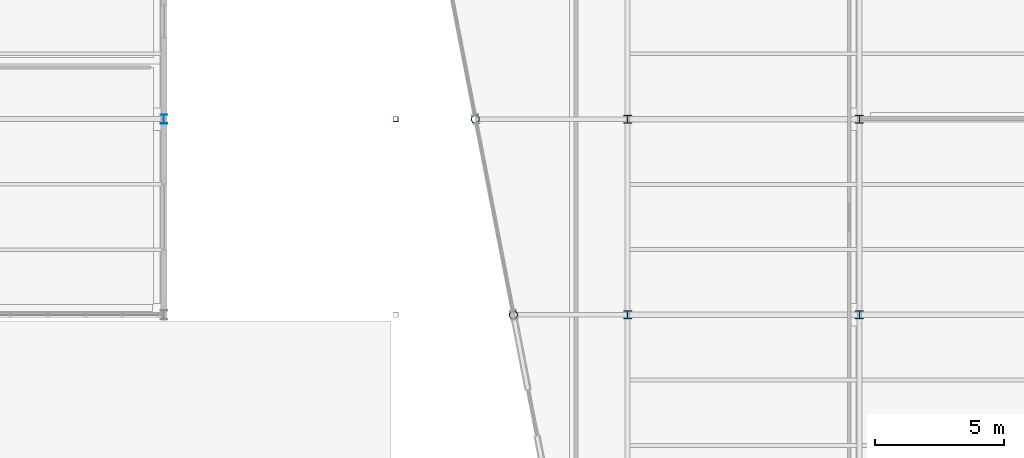
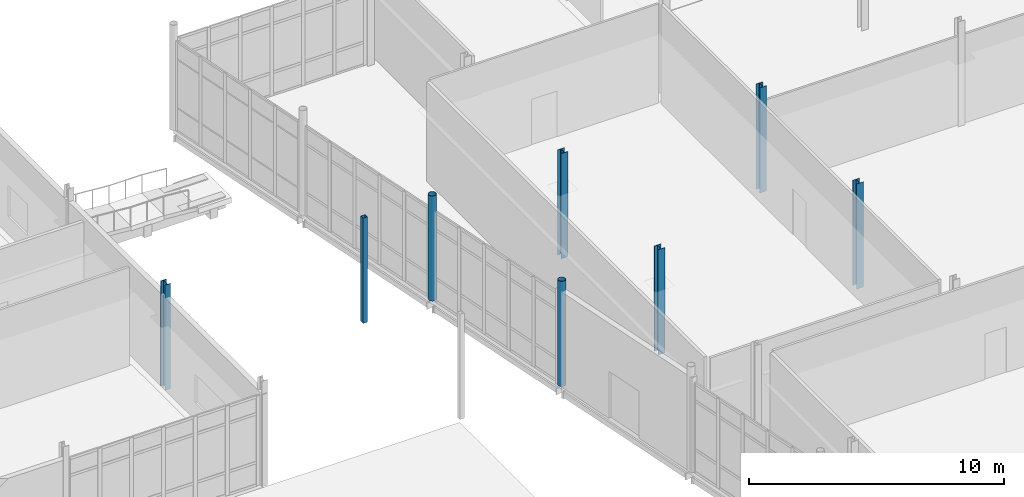
# One storey, part 22 of 161: 8 columns.
"""IFC4 building model written with IfcOpenShell, lengths in metres."""

from ifc_helpers import new_model, si_unit, direction, frame, origin, origin_2d, place, context, subcontext, project, spatial, hollow_rectangle, hollow_circle, i_section, extrude, material, material_profile, profile_set, type_object, element, save


model = new_model("IFC4")

# Units and contexts
model_context = context("Model", 3, precision=1e-05, world=origin(), true_north=direction((0.0, 1.0)))
body_context = subcontext(model_context, "Body", "Model", "MODEL_VIEW")
ifc_project = project(units=[si_unit("LENGTHUNIT", "METRE"), si_unit("AREAUNIT", "SQUARE_METRE"), si_unit("VOLUMEUNIT", "CUBIC_METRE"), si_unit("PLANEANGLEUNIT", "RADIAN"), si_unit("MASSUNIT", "GRAM", prefix="KILO")], contexts=[model_context])

# Site, building, storey
site_placement = place(None, origin())
site = spatial("IfcSite", under=ifc_project, at=site_placement, CompositionType="ELEMENT")
building_placement = place(site_placement, origin())
building = spatial("IfcBuilding", under=site, at=building_placement, Name="Caisbarro Railhouse Central Library", CompositionType="ELEMENT")
storey_placement = place(building_placement, origin())
storey = spatial("IfcBuildingStorey", under=building, at=storey_placement, Name="L00", CompositionType="ELEMENT", Elevation=0.0)

# Columns
ifc_material = material(Name="Steel ASTM A572 Grade 50", Category="steel")
ifc_material_profile_1 = material_profile(ifc_material, i_section(OverallWidth=0.31201171875, OverallDepth=0.31201171875, WebThickness=0.017333984375, FlangeThickness=0.017333984375, FilletRadius=0.014892578125, at=origin_2d()), Name="HP310X125.0")
ifc_profile_set_1 = profile_set([ifc_material_profile_1], Name="Steel ASTM A572 Grade 50")
column_type_1 = type_object("IfcColumnType", Name="COL-C03", PredefinedType="COLUMN", material=ifc_profile_set_1)
for number, where, z_axis, x_axis, name in (
    (1, (117.0, 83.60009765625, 0.0), (0.0, 0.0, 1.0), (1.0, 0.0, 0.0), "C03 column L00 (117.0,83.6)"),
    (2, (117.0, 91.199951171875, 0.0), (0.0, 0.0, 1.0), (1.0, 0.0, 0.0), "C03 column L00 (117.0,91.2)"),
    (3, (126.0, 83.60009765625, 0.0), (0.0, 0.0, 1.0), (1.0, 0.0, 0.0), "C03 column L00 (126.0,83.6)"),
    (4, (126.0, 91.199951171875, 0.0), (0.0, 0.0, 1.0), (1.0, 0.0, 0.0), "C03 column L00 (126.0,91.2)"),
):
    element("IfcColumn", number, at=place(storey_placement, frame(where, z_axis=z_axis, x_axis=x_axis)), inside=storey, type_object=column_type_1, Name=name, PredefinedType="COLUMN", context=body_context, shape_type="SweptSolid", body=[
        extrude(i_section(OverallWidth=0.31201171875, OverallDepth=0.31201171875, WebThickness=0.017333984375, FlangeThickness=0.017333984375, FilletRadius=0.014892578125, at=origin_2d()), origin(), (0.0, 0.0, 1.0), 5.0400390625),
    ])
ifc_material_profile_2 = material_profile(ifc_material, i_section(OverallWidth=0.25390625, OverallDepth=0.35302734375, WebThickness=0.009521484375, FlangeThickness=0.016357421875, FilletRadius=0.014892578125, at=origin_2d()), Name="W360X91.0")
ifc_profile_set_2 = profile_set([ifc_material_profile_2], Name="Steel ASTM A572 Grade 50")
column_type_2 = type_object("IfcColumnType", Name="COL-C05", PredefinedType="COLUMN", material=ifc_profile_set_2)
column_1_placement = place(storey_placement, frame((99.0, 91.199951171875, 0.0), z_axis=(0.0, 0.0, 1.0), x_axis=(1.0, 0.0, 0.0)))
element("IfcColumn", 5, at=column_1_placement, inside=storey, type_object=column_type_2, Name="C05 column L00 (99.0,91.2)", PredefinedType="COLUMN", context=body_context, shape_type="SweptSolid", body=[
    extrude(i_section(OverallWidth=0.25390625, OverallDepth=0.35302734375, WebThickness=0.009521484375, FlangeThickness=0.016357421875, FilletRadius=0.014892578125, at=origin_2d()), origin(), (0.0, 0.0, 1.0), 5.0400390625),
])
ifc_material_profile_3 = material_profile(ifc_material, hollow_rectangle(XDim=0.199951171875, YDim=0.199951171875, WallThickness=0.012451171875, at=origin_2d()), Name="HSS200X200X12.5")
ifc_profile_set_3 = profile_set([ifc_material_profile_3], Name="Steel ASTM A572 Grade 50")
column_type_3 = type_object("IfcColumnType", Name="COL-C10", PredefinedType="COLUMN", material=ifc_profile_set_3)
column_2_placement = place(storey_placement, frame((108.0, 91.199951171875, 0.0), z_axis=(0.0, 0.0, 1.0), x_axis=(1.0, 0.0, 0.0)))
element("IfcColumn", 6, at=column_2_placement, inside=storey, type_object=column_type_3, Name="C10 column L00 (108.0,91.2)", PredefinedType="COLUMN", context=body_context, shape_type="SweptSolid", body=[
    extrude(hollow_rectangle(XDim=0.199951171875, YDim=0.199951171875, WallThickness=0.012451171875, at=origin_2d()), origin(), (0.0, 0.0, 1.0), 5.0400390625),
])
ifc_material_profile_4 = material_profile(ifc_material, hollow_circle(Radius=0.161865234375, WallThickness=0.01611328125, at=origin_2d()), Name="CHS323.9X16.0")
ifc_profile_set_4 = profile_set([ifc_material_profile_4], Name="Steel ASTM A572 Grade 50")
column_type_4 = type_object("IfcColumnType", Name="COL-C11", PredefinedType="COLUMN", material=ifc_profile_set_4)
for number, where, z_axis, x_axis, name in (
    (7, (111.091064453125, 91.199951171875, 0.0), (0.0, 0.0, 1.0), (0.981627183448, 0.190808995377, 0.0), "C11 column L00 (111.1,91.2)"),
    (8, (112.568115234375, 83.60009765625, 0.0), (0.0, 0.0, 1.0), (0.981627183448, 0.190808995377, 0.0), "C11 column L00 (112.6,83.6)"),
):
    element("IfcColumn", number, at=place(storey_placement, frame(where, z_axis=z_axis, x_axis=x_axis)), inside=storey, type_object=column_type_4, Name=name, PredefinedType="COLUMN", context=body_context, shape_type="SweptSolid", body=[
        extrude(hollow_circle(Radius=0.161865234375, WallThickness=0.01611328125, at=origin_2d()), origin(), (0.0, 0.0, 1.0), 5.0400390625),
    ])

save(model, "model.ifc")
